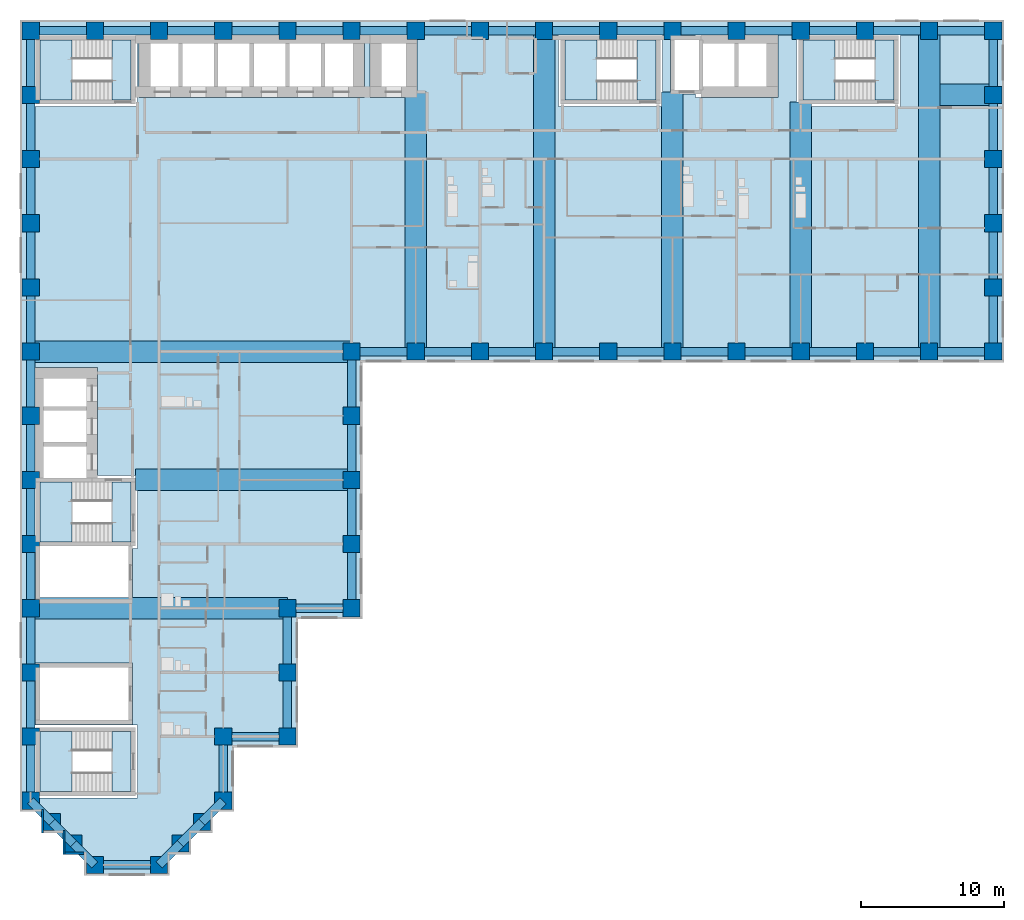
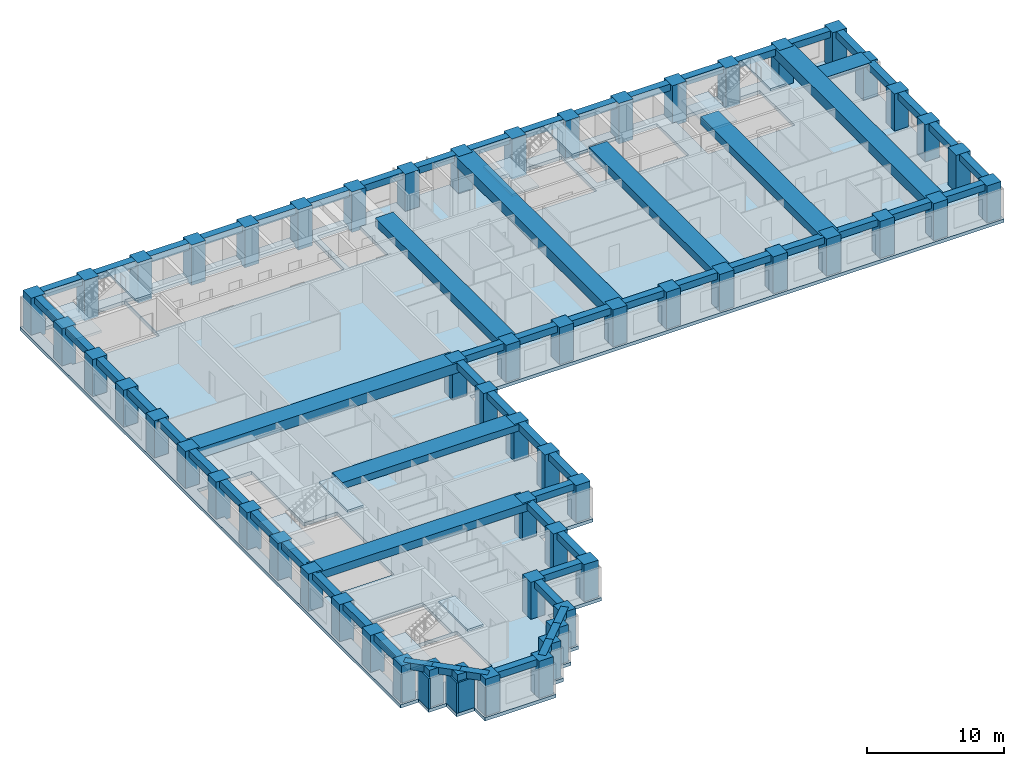
# One storey, part 1 of 11: 67 beams, 58 columns, 11 slabs, 3 walls, 5 elements without a shape of their own.
"""IFC4 building model written with IfcOpenShell, lengths in metres."""

import ifcopenshell
import ifcopenshell.guid

model = None  # the IFC model being written
_history = None  # IfcOwnerHistory: only IFC2X3 demands one
_inside = {}  # id of a spatial element -> (the spatial element, [elements in it])
_under = {}  # id of a project, library or spatial element -> (it, [spatial elements below it])
_declared = {}  # id of a project -> (the project, [libraries it declares])
_typed = {}  # id of a type object -> (the type object, [elements of that type])
_made_of = {}  # id of a material, layer set ... -> (it, [elements and type objects made of it])


def new_model(schema):
    """Start an empty IFC model of exactly this schema.

    Asked for "IFC4X3", IfcOpenShell would pick the latest addendum, in which some entities
    have other attributes; the version numbers below select the first issue.
    IFC2X3 requires an IfcOwnerHistory on every rooted entity: one is made here for all.
    """
    global model, _history
    if schema == "IFC4X3":
        model = ifcopenshell.file(schema_version=(4, 3, 0, 0))
    else:
        model = ifcopenshell.file(schema=schema)
    _inside.clear()
    _under.clear()
    _declared.clear()
    _typed.clear()
    _made_of.clear()
    _history = None
    if model.schema == "IFC2X3":
        org = make("IfcOrganization", Name="unknown")
        user = make(
            "IfcPersonAndOrganization",
            ThePerson=make("IfcPerson", FamilyName="unknown"),
            TheOrganization=org,
        )
        app = make(
            "IfcApplication",
            ApplicationDeveloper=org,
            Version="unknown",
            ApplicationFullName="unknown",
            ApplicationIdentifier="unknown",
        )
        _history = make(
            "IfcOwnerHistory",
            OwningUser=user,
            OwningApplication=app,
            ChangeAction="ADDED",
            CreationDate=0,
        )
    return model


def make(cls, **values):
    """One entity of the class cls with the attributes given. An attribute that is None is left unset."""
    return model.create_entity(
        cls, **{name: value for name, value in values.items() if value is not None}
    )


def rooted(cls, **values):
    """An entity with a GlobalId (a new one), such as an element, a storey or a relation."""
    return make(cls, GlobalId=ifcopenshell.guid.new(), OwnerHistory=_history, **values)


def si_unit(unit_type, name, prefix=None):
    """IfcSIUnit, for example si_unit("LENGTHUNIT", "METRE", prefix="MILLI")."""
    return make("IfcSIUnit", UnitType=unit_type, Prefix=prefix, Name=name)


def assignment(units):
    """IfcUnitAssignment: the units of a project."""
    return None if units is None else make("IfcUnitAssignment", Units=units)


def point(xyz):
    """IfcCartesianPoint."""
    return None if xyz is None else make("IfcCartesianPoint", Coordinates=xyz)


def direction(xyz):
    """IfcDirection."""
    return None if xyz is None else make("IfcDirection", DirectionRatios=xyz)


def frame(location, z_axis=None, x_axis=None):
    """IfcAxis2Placement3D, a coordinate frame: its origin and axes. An axis left out is left unset."""
    return make(
        "IfcAxis2Placement3D",
        Location=point(location),
        Axis=direction(z_axis),
        RefDirection=direction(x_axis),
    )


def frame_2d(location, x_axis=None):
    """IfcAxis2Placement2D, a coordinate frame in the plane: its origin and x axis."""
    return make(
        "IfcAxis2Placement2D", Location=point(location), RefDirection=direction(x_axis)
    )


def origin():
    """The frame at (0, 0, 0) with its axes left unset."""
    return frame((0.0, 0.0, 0.0))


def origin_2d():
    """The frame at (0, 0) in the plane with its x axis left unset."""
    return frame_2d((0.0, 0.0))


def place(relative_to, where):
    """IfcLocalPlacement: puts the frame where relative to a parent placement (None: the world)."""
    return make(
        "IfcLocalPlacement", PlacementRelTo=relative_to, RelativePlacement=where
    )


def context(
    kind, dimensions, precision=None, world=None, true_north=None, identifier=None
):
    """IfcGeometricRepresentationContext, for example the 3D "Model" context."""
    return make(
        "IfcGeometricRepresentationContext",
        ContextIdentifier=identifier,
        ContextType=kind,
        CoordinateSpaceDimension=dimensions,
        Precision=precision,
        WorldCoordinateSystem=world,
        TrueNorth=true_north,
    )


def subcontext(parent, identifier, kind, view, scale=None):
    """IfcGeometricRepresentationSubContext, for example "Body" below "Model"."""
    return make(
        "IfcGeometricRepresentationSubContext",
        ContextIdentifier=identifier,
        ContextType=kind,
        ParentContext=parent,
        TargetScale=scale,
        TargetView=view,
    )


def project(units=None, contexts=None):
    """IfcProject with its units and contexts."""
    return rooted(
        "IfcProject",
        Name="project",
        RepresentationContexts=contexts,
        UnitsInContext=assignment(units),
    )


def spatial(cls, under=None, at=None, **own):
    """A site, building, storey or space (cls), placed at a placement, below another one or the project."""
    s = rooted(cls, ObjectPlacement=at, **own)
    if under is not None:
        _under.setdefault(under.id(), (under, []))[1].append(s)
    return s


def polyline(points):
    """IfcPolyline through the points."""
    return make("IfcPolyline", Points=[point(p) for p in points])


def profile(cls, at=None, kind="AREA", **sizes):
    """A parametric profile (cls). Its sizes go by their IFC names, for example OverallWidth=200.0."""
    return make(cls, ProfileType=kind, Position=at, **sizes)


def rectangle(**sizes):
    """IfcRectangleProfileDef."""
    return profile("IfcRectangleProfileDef", **sizes)


def outline(outer, holes=None, kind="AREA"):
    """IfcArbitraryClosedProfileDef: a profile drawn as a closed curve; with holes, ...WithVoids."""
    if holes is None:
        return make("IfcArbitraryClosedProfileDef", ProfileType=kind, OuterCurve=outer)
    return make(
        "IfcArbitraryProfileDefWithVoids",
        ProfileType=kind,
        OuterCurve=outer,
        InnerCurves=holes,
    )


def extrude(swept, where, along, depth):
    """IfcExtrudedAreaSolid: the profile swept, set in the frame where, extruded along a direction by depth."""
    return make(
        "IfcExtrudedAreaSolid",
        SweptArea=swept,
        Position=where,
        ExtrudedDirection=direction(along),
        Depth=depth,
    )


def shape(context_of_items, identifier, shape_type, items):
    """IfcShapeRepresentation: the items that make up one representation, for example the "Body"."""
    return make(
        "IfcShapeRepresentation",
        ContextOfItems=context_of_items,
        RepresentationIdentifier=identifier,
        RepresentationType=shape_type,
        Items=items,
    )


def material(Name=None, Category=None):
    """IfcMaterial."""
    return make("IfcMaterial", Name=Name, Category=Category)


def layer(
    of_material, thickness, ventilated=None, Name=None, Category=None, Priority=None
):
    """IfcMaterialLayer: one layer of a wall or slab, of a material (None: an air gap)."""
    return make(
        "IfcMaterialLayer",
        Material=of_material,
        LayerThickness=thickness,
        IsVentilated=ventilated,
        Name=Name,
        Category=Category,
        Priority=Priority,
    )


def layer_set(layers, Name=None):
    """IfcMaterialLayerSet."""
    return make("IfcMaterialLayerSet", MaterialLayers=layers, LayerSetName=Name)


def material_profile(
    of_material, cross_section, Name=None, Category=None, Priority=None
):
    """IfcMaterialProfile: a cross section and its material."""
    return make(
        "IfcMaterialProfile",
        Name=Name,
        Material=of_material,
        Profile=cross_section,
        Priority=Priority,
        Category=Category,
    )


def profile_set(profiles, Name=None, composite=None):
    """IfcMaterialProfileSet."""
    return make(
        "IfcMaterialProfileSet",
        Name=Name,
        MaterialProfiles=profiles,
        CompositeProfile=composite,
    )


def made_of(thing, what):
    """Note that an element or type object is made of a material, layer set ...; save() writes the relation."""
    if what is not None:
        _made_of.setdefault(what.id(), (what, []))[1].append(thing)
    return thing


def type_object(cls, material=None, **own):
    """A type object (cls), such as IfcWallType, which elements share."""
    return made_of(rooted(cls, **own), material)


def element(
    cls,
    number,
    at=None,
    inside=None,
    cuts=None,
    type_object=None,
    material=None,
    context=None,
    identifier="Body",
    shape_type=None,
    held_by="IfcProductDefinitionShape",
    body=None,
    shapes=None,
    **own,
):
    """One element of the class cls, such as IfcWall. Its Tag is "e" and its number.

    at: its placement. inside: the storey or other place that contains it. cuts: it is an
    opening in that element (IfcRelVoidsElement). A single representation is given by context,
    identifier, shape_type and body (its items); several are given by shapes. held_by: the class
    of the entity that holds the representations. save() writes the other relations.
    """
    e = rooted(cls, Tag="e%d" % number, ObjectPlacement=at, **own)
    if body is not None:
        shapes = [shape(context, identifier, shape_type, body)]
    if shapes is not None:
        e.Representation = make(held_by, Representations=shapes)
    if inside is not None:
        _inside.setdefault(inside.id(), (inside, []))[1].append(e)
    if cuts is not None:
        rooted(
            "IfcRelVoidsElement", RelatingBuildingElement=cuts, RelatedOpeningElement=e
        )
    if type_object is not None:
        _typed.setdefault(type_object.id(), (type_object, []))[1].append(e)
    return made_of(e, material)


def aggregate(whole, parts):
    """IfcRelAggregates: a whole, such as a stair, and the parts it consists of."""
    return rooted("IfcRelAggregates", RelatingObject=whole, RelatedObjects=parts)


def save(model, path):
    """Write the relations noted so far, then the file.

    IfcRelAggregates (storeys below a building ...), IfcRelContainedInSpatialStructure (elements
    in a storey), IfcRelDefinesByType, IfcRelAssociatesMaterial and IfcRelDeclares: one each for
    every whole, place, type object, material and project.
    """
    for whole, parts in _under.values():
        aggregate(whole, parts)
    for where, things in _inside.values():
        rooted(
            "IfcRelContainedInSpatialStructure",
            RelatedElements=things,
            RelatingStructure=where,
        )
    for kind, things in _typed.values():
        rooted("IfcRelDefinesByType", RelatedObjects=things, RelatingType=kind)
    for what, things in _made_of.values():
        rooted("IfcRelAssociatesMaterial", RelatedObjects=things, RelatingMaterial=what)
    for by, libraries in _declared.values():
        rooted("IfcRelDeclares", RelatingContext=by, RelatedDefinitions=libraries)
    model.write(path)


model = new_model("IFC4")

# Units and contexts
model_context = context("Model", 3, precision=1e-05, world=origin(), true_north=direction((0.0, 1.0)))
body_context = subcontext(model_context, "Body", "Model", "MODEL_VIEW")
ifc_project = project(units=[si_unit("LENGTHUNIT", "METRE"), si_unit("AREAUNIT", "SQUARE_METRE"), si_unit("VOLUMEUNIT", "CUBIC_METRE"), si_unit("PLANEANGLEUNIT", "RADIAN"), si_unit("MASSUNIT", "GRAM", prefix="KILO")], contexts=[model_context])

# Site, building, storey
site_placement = place(None, origin())
site = spatial("IfcSite", under=ifc_project, at=site_placement, CompositionType="ELEMENT")
building_placement = place(site_placement, origin())
building = spatial("IfcBuilding", under=site, at=building_placement, Name="Firuza Court", CompositionType="ELEMENT")
storey_placement = place(building_placement, frame((0.0, 0.0, 79.39990234375)))
storey = spatial("IfcBuildingStorey", under=building, at=storey_placement, Name="L19", CompositionType="ELEMENT", Elevation=79.39990234375)

# Columns
ifc_material_1 = material(Name="Concrete C70/85", Category="concrete")
ifc_material_profile_1 = material_profile(ifc_material_1, rectangle(XDim=1.199951171875, YDim=1.199951171875, at=origin_2d()), Name="RC 1200x1200")
ifc_profile_set_1 = profile_set([ifc_material_profile_1], Name="Concrete C70/85")
column_type = type_object("IfcColumnType", Name="Tube column RC 1200x1200 C70/85", PredefinedType="COLUMN", material=ifc_profile_set_1)
for number, where, z_axis, x_axis, name in (
    (1, (4.5, 0.0, -0.2998046875), (0.0, 0.0, 1.0), (1.0, 0.0, 0.0), "Column C-2D L19"),
    (2, (9.0, 0.0, -0.2998046875), (0.0, 0.0, 1.0), (1.0, 0.0, 0.0), "Column C-3D L19"),
    (3, (3.0, 1.5, -0.2998046875), (0.0, 0.0, 1.0), (1.0, 0.0, 0.0), "Column C-SA1 L19"),
    (4, (10.5, 1.5, -0.2998046875), (0.0, 0.0, 1.0), (1.0, 0.0, 0.0), "Column C-SA2 L19"),
    (5, (1.5, 3.0, -0.2998046875), (0.0, 0.0, 1.0), (1.0, 0.0, 0.0), "Column C-SA3 L19"),
    (6, (12.0, 3.0, -0.2998046875), (0.0, 0.0, 1.0), (1.0, 0.0, 0.0), "Column C-SA4 L19"),
    (7, (0.0, 4.5, -0.2998046875), (0.0, 0.0, 1.0), (1.0, 0.0, 0.0), "Column C-1E L19"),
    (8, (13.5, 4.5, -0.2998046875), (0.0, 0.0, 1.0), (1.0, 0.0, 0.0), "Column C-4E L19"),
    (9, (0.0, 9.0, -0.2998046875), (0.0, 0.0, 1.0), (1.0, 0.0, 0.0), "Column C-1F L19"),
    (10, (13.5, 9.0, -0.2998046875), (0.0, 0.0, 1.0), (1.0, 0.0, 0.0), "Column C-4F L19"),
    (11, (18.0, 9.0, -0.2998046875), (0.0, 0.0, 1.0), (1.0, 0.0, 0.0), "Column C-5F L19"),
    (12, (0.0, 13.5, -0.2998046875), (0.0, 0.0, 1.0), (1.0, 0.0, 0.0), "Column C-1G L19"),
    (13, (18.0, 13.5, -0.2998046875), (0.0, 0.0, 1.0), (1.0, 0.0, 0.0), "Column C-5G L19"),
    (14, (0.0, 18.0, -0.2998046875), (0.0, 0.0, 1.0), (1.0, 0.0, 0.0), "Column C-1H L19"),
    (15, (18.0, 18.0, -0.2998046875), (0.0, 0.0, 1.0), (1.0, 0.0, 0.0), "Column C-5H L19"),
    (16, (22.5, 18.0, -0.2998046875), (0.0, 0.0, 1.0), (1.0, 0.0, 0.0), "Column C-6H L19"),
    (17, (0.0, 22.5, -0.2998046875), (0.0, 0.0, 1.0), (1.0, 0.0, 0.0), "Column C-1J L19"),
    (18, (22.5, 22.5, -0.2998046875), (0.0, 0.0, 1.0), (1.0, 0.0, 0.0), "Column C-6J L19"),
    (19, (0.0, 27.0, -0.2998046875), (0.0, 0.0, 1.0), (1.0, 0.0, 0.0), "Column C-1K L19"),
    (20, (22.5, 27.0, -0.2998046875), (0.0, 0.0, 1.0), (1.0, 0.0, 0.0), "Column C-6K L19"),
    (21, (0.0, 31.5, -0.2998046875), (0.0, 0.0, 1.0), (1.0, 0.0, 0.0), "Column C-1L L19"),
    (22, (22.5, 31.5, -0.2998046875), (0.0, 0.0, 1.0), (1.0, 0.0, 0.0), "Column C-6L L19"),
    (23, (0.0, 36.0, -0.2998046875), (0.0, 0.0, 1.0), (1.0, 0.0, 0.0), "Column C-1M L19"),
    (24, (22.5, 36.0, -0.2998046875), (0.0, 0.0, 1.0), (1.0, 0.0, 0.0), "Column C-6M L19"),
    (25, (27.0, 36.0, -0.2998046875), (0.0, 0.0, 1.0), (1.0, 0.0, 0.0), "Column C-7M L19"),
    (26, (31.5, 36.0, -0.2998046875), (0.0, 0.0, 1.0), (1.0, 0.0, 0.0), "Column C-8M L19"),
    (27, (36.0, 36.0, -0.2998046875), (0.0, 0.0, 1.0), (1.0, 0.0, 0.0), "Column C-9M L19"),
    (28, (40.5, 36.0, -0.2998046875), (0.0, 0.0, 1.0), (1.0, 0.0, 0.0), "Column C-10M L19"),
    (29, (45.0, 36.0, -0.2998046875), (0.0, 0.0, 1.0), (1.0, 0.0, 0.0), "Column C-11M L19"),
    (30, (49.5, 36.0, -0.2998046875), (0.0, 0.0, 1.0), (1.0, 0.0, 0.0), "Column C-12M L19"),
    (31, (54.0, 36.0, -0.2998046875), (0.0, 0.0, 1.0), (1.0, 0.0, 0.0), "Column C-13M L19"),
    (32, (58.5, 36.0, -0.2998046875), (0.0, 0.0, 1.0), (1.0, 0.0, 0.0), "Column C-14M L19"),
    (33, (63.0, 36.0, -0.2998046875), (0.0, 0.0, 1.0), (1.0, 0.0, 0.0), "Column C-15M L19"),
    (34, (67.5, 36.0, -0.2998046875), (0.0, 0.0, 1.0), (1.0, 0.0, 0.0), "Column C-16M L19"),
    (35, (0.0, 40.5, -0.2998046875), (0.0, 0.0, 1.0), (1.0, 0.0, 0.0), "Column C-1N L19"),
    (36, (67.5, 40.5, -0.2998046875), (0.0, 0.0, 1.0), (1.0, 0.0, 0.0), "Column C-16N L19"),
    (37, (0.0, 45.0, -0.2998046875), (0.0, 0.0, 1.0), (1.0, 0.0, 0.0), "Column C-1P L19"),
    (38, (67.5, 45.0, -0.2998046875), (0.0, 0.0, 1.0), (1.0, 0.0, 0.0), "Column C-16P L19"),
    (39, (0.0, 49.5, -0.2998046875), (0.0, 0.0, 1.0), (1.0, 0.0, 0.0), "Column C-1Q L19"),
    (40, (67.5, 49.5, -0.2998046875), (0.0, 0.0, 1.0), (1.0, 0.0, 0.0), "Column C-16Q L19"),
    (41, (0.0, 54.0, -0.2998046875), (0.0, 0.0, 1.0), (1.0, 0.0, 0.0), "Column C-1R L19"),
    (42, (67.5, 54.0, -0.2998046875), (0.0, 0.0, 1.0), (1.0, 0.0, 0.0), "Column C-16R L19"),
    (43, (0.0, 58.5, -0.2998046875), (0.0, 0.0, 1.0), (1.0, 0.0, 0.0), "Column C-1S L19"),
    (44, (4.5, 58.5, -0.2998046875), (0.0, 0.0, 1.0), (1.0, 0.0, 0.0), "Column C-2S L19"),
    (45, (9.0, 58.5, -0.2998046875), (0.0, 0.0, 1.0), (1.0, 0.0, 0.0), "Column C-3S L19"),
    (46, (13.5, 58.5, -0.2998046875), (0.0, 0.0, 1.0), (1.0, 0.0, 0.0), "Column C-4S L19"),
    (47, (18.0, 58.5, -0.2998046875), (0.0, 0.0, 1.0), (1.0, 0.0, 0.0), "Column C-5S L19"),
    (48, (22.5, 58.5, -0.2998046875), (0.0, 0.0, 1.0), (1.0, 0.0, 0.0), "Column C-6S L19"),
    (49, (27.0, 58.5, -0.2998046875), (0.0, 0.0, 1.0), (1.0, 0.0, 0.0), "Column C-7S L19"),
    (50, (31.5, 58.5, -0.2998046875), (0.0, 0.0, 1.0), (1.0, 0.0, 0.0), "Column C-8S L19"),
    (51, (36.0, 58.5, -0.2998046875), (0.0, 0.0, 1.0), (1.0, 0.0, 0.0), "Column C-9S L19"),
    (52, (40.5, 58.5, -0.2998046875), (0.0, 0.0, 1.0), (1.0, 0.0, 0.0), "Column C-10S L19"),
    (53, (45.0, 58.5, -0.2998046875), (0.0, 0.0, 1.0), (1.0, 0.0, 0.0), "Column C-11S L19"),
    (54, (49.5, 58.5, -0.2998046875), (0.0, 0.0, 1.0), (1.0, 0.0, 0.0), "Column C-12S L19"),
    (55, (54.0, 58.5, -0.2998046875), (0.0, 0.0, 1.0), (1.0, 0.0, 0.0), "Column C-13S L19"),
    (56, (58.5, 58.5, -0.2998046875), (0.0, 0.0, 1.0), (1.0, 0.0, 0.0), "Column C-14S L19"),
    (57, (63.0, 58.5, -0.2998046875), (0.0, 0.0, 1.0), (1.0, 0.0, 0.0), "Column C-15S L19"),
    (58, (67.5, 58.5, -0.2998046875), (0.0, 0.0, 1.0), (1.0, 0.0, 0.0), "Column C-16S L19"),
):
    element("IfcColumn", number, at=place(storey_placement, frame(where, z_axis=z_axis, x_axis=x_axis)), inside=storey, type_object=column_type, Name=name, PredefinedType="COLUMN", context=body_context, shape_type="SweptSolid", body=[
        extrude(rectangle(XDim=1.199951171875, YDim=1.199951171875, at=origin_2d()), origin(), (0.0, 0.0, 1.0), 3.599853515625),
    ])

# Beams
ifc_material_2 = material(Name="Concrete C40/50", Category="concrete")
ifc_material_profile_2 = material_profile(ifc_material_2, rectangle(XDim=1.5, YDim=0.300048828125, at=origin_2d()), Name="RC 1500x300")
ifc_profile_set_2 = profile_set([ifc_material_profile_2], Name="Concrete C40/50")
beam_type_1 = type_object("IfcBeamType", Name="Band beam RC 1500x300 C40/50", PredefinedType="BEAM", material=ifc_profile_set_2)
beam_1_placement = place(storey_placement, frame((67.5, 54.0, 3.150146484375), z_axis=(-1.0, 0.0, 0.0), x_axis=(0.0, -1.0, 0.0)))
element("IfcBeam", 59, at=beam_1_placement, inside=storey, type_object=beam_type_1, Name="Band beam FB6 level L20", PredefinedType="BEAM", context=body_context, shape_type="SweptSolid", body=[
    extrude(rectangle(XDim=1.5, YDim=0.300048828125, at=origin_2d()), origin(), (0.0, 0.0, 1.0), 3.75),
])
ifc_material_3 = material(Name="Concrete C40/50", Category="concrete")
ifc_material_profile_3 = material_profile(ifc_material_3, rectangle(XDim=1.5, YDim=0.60009765625, at=origin_2d()), Name="RC 1500x600")
ifc_profile_set_3 = profile_set([ifc_material_profile_3], Name="Concrete C40/50")
beam_type_2 = type_object("IfcBeamType", Name="Band beam RC 1500x600 C40/50", PredefinedType="BEAM", material=ifc_profile_set_3)
beam_2_placement = place(storey_placement, frame((22.5, 27.0, 3.0), z_axis=(-1.0, 0.0, 0.0), x_axis=(0.0, -1.0, 0.0)))
element("IfcBeam", 60, at=beam_2_placement, inside=storey, type_object=beam_type_2, Name="Band beam FB3 level L20", PredefinedType="BEAM", context=body_context, shape_type="SweptSolid", body=[
    extrude(rectangle(XDim=1.5, YDim=0.60009765625, at=origin_2d()), origin(), (0.0, 0.0, 1.0), 15.14990234375),
])
ifc_material_4 = material(Name="Concrete C40/50", Category="concrete")
ifc_material_profile_4 = material_profile(ifc_material_4, rectangle(XDim=1.5, YDim=0.699951171875, at=origin_2d()), Name="RC 1500x700")
ifc_profile_set_4 = profile_set([ifc_material_profile_4], Name="Concrete C40/50")
beam_type_3 = type_object("IfcBeamType", Name="Band beam RC 1500x700 C40/50", PredefinedType="BEAM", material=ifc_profile_set_4)
beam_3_placement = place(storey_placement, frame((0.0, 18.0, 2.9501953125), z_axis=(1.0, 0.0, 0.0), x_axis=(0.0, 1.0, 0.0)))
element("IfcBeam", 61, at=beam_3_placement, inside=storey, type_object=beam_type_3, Name="Band beam FB1 level L20", PredefinedType="BEAM", context=body_context, shape_type="SweptSolid", body=[
    extrude(rectangle(XDim=1.5, YDim=0.699951171875, at=origin_2d()), origin(), (0.0, 0.0, 1.0), 18.0),
])
for number, where, z_axis, x_axis, name in (
    (62, (27.0, 36.0, 2.9501953125), (0.0, 1.0, 0.0), (-1.0, 0.0, 0.0), "Band beam FB1 level L20"),
    (63, (45.0, 36.0, 2.9501953125), (0.0, 1.0, 0.0), (-1.0, 0.0, 0.0), "Band beam FB1 level L20"),
):
    element("IfcBeam", number, at=place(storey_placement, frame(where, z_axis=z_axis, x_axis=x_axis)), inside=storey, type_object=beam_type_3, Name=name, PredefinedType="BEAM", context=body_context, shape_type="SweptSolid", body=[
        extrude(rectangle(XDim=1.5, YDim=0.699951171875, at=origin_2d()), origin(), (0.0, 0.0, 1.0), 18.199951171875),
    ])
beam_4_placement = place(storey_placement, frame((54.0, 36.0, 2.9501953125), z_axis=(0.0, 1.0, 0.0), x_axis=(-1.0, 0.0, 0.0)))
element("IfcBeam", 64, at=beam_4_placement, inside=storey, type_object=beam_type_3, Name="Band beam FB1 level L20", PredefinedType="BEAM", context=body_context, shape_type="SweptSolid", body=[
    extrude(rectangle(XDim=1.5, YDim=0.699951171875, at=origin_2d()), origin(), (0.0, 0.0, 1.0), 17.5),
])
ifc_material_5 = material(Name="Concrete C40/50", Category="concrete")
ifc_material_profile_5 = material_profile(ifc_material_5, rectangle(XDim=1.5, YDim=0.89990234375, at=origin_2d()), Name="RC 1500x900")
ifc_profile_set_5 = profile_set([ifc_material_profile_5], Name="Concrete C40/50")
beam_type_4 = type_object("IfcBeamType", Name="Band beam RC 1500x900 C40/50", PredefinedType="BEAM", material=ifc_profile_set_5)
for number, where, z_axis, x_axis, name in (
    (65, (0.0, 36.0, 2.85009765625), (1.0, 0.0, 0.0), (0.0, 1.0, 0.0), "Band beam FB2 level L20"),
    (66, (36.0, 36.0, 2.85009765625), (0.0, 1.0, 0.0), (-1.0, 0.0, 0.0), "Band beam FB2 level L20"),
    (67, (63.0, 36.0, 2.85009765625), (0.0, 1.0, 0.0), (-1.0, 0.0, 0.0), "Band beam FB2 level L20"),
):
    element("IfcBeam", number, at=place(storey_placement, frame(where, z_axis=z_axis, x_axis=x_axis)), inside=storey, type_object=beam_type_4, Name=name, PredefinedType="BEAM", context=body_context, shape_type="SweptSolid", body=[
        extrude(rectangle(XDim=1.5, YDim=0.89990234375, at=origin_2d()), origin(), (0.0, 0.0, 1.0), 22.5),
    ])
ifc_material_6 = material(Name="Concrete C40/50", Category="concrete")
ifc_material_profile_6 = material_profile(ifc_material_6, rectangle(XDim=0.60009765625, YDim=0.60009765625, at=origin_2d()), Name="RC 600x600")
ifc_profile_set_6 = profile_set([ifc_material_profile_6], Name="Concrete C40/50")
beam_type_5 = type_object("IfcBeamType", Name="Spandrel beam RC 600x600 C40/50", PredefinedType="BEAM", material=ifc_profile_set_6)
beam_5_placement = place(storey_placement, frame((0.0, 4.5, 3.0), z_axis=(0.707106781187, -0.707106781187, 0.0), x_axis=(0.707106781187, 0.707106781187, 0.0)))
element("IfcBeam", 68, at=beam_5_placement, inside=storey, type_object=beam_type_5, Name="Spandrel beam SP11 level L20", PredefinedType="BEAM", context=body_context, shape_type="SweptSolid", body=[
    extrude(rectangle(XDim=0.60009765625, YDim=0.60009765625, at=origin_2d()), origin(), (0.0, 0.0, 1.0), 2.121337890625),
])
for number, where, z_axis, x_axis, name in (
    (69, (0.0, 9.0, 3.0), (0.0, -1.0, 0.0), (1.0, 0.0, 0.0), "Spandrel beam SP11 level L20"),
    (70, (0.0, 13.5, 3.0), (0.0, -1.0, 0.0), (1.0, 0.0, 0.0), "Spandrel beam SP11 level L20"),
    (71, (0.0, 18.0, 3.0), (0.0, -1.0, 0.0), (1.0, 0.0, 0.0), "Spandrel beam SP11 level L20"),
    (72, (0.0, 22.5, 3.0), (0.0, -1.0, 0.0), (1.0, 0.0, 0.0), "Spandrel beam SP11 level L20"),
    (73, (0.0, 27.0, 3.0), (0.0, -1.0, 0.0), (1.0, 0.0, 0.0), "Spandrel beam SP11 level L20"),
    (74, (0.0, 31.5, 3.0), (0.0, -1.0, 0.0), (1.0, 0.0, 0.0), "Spandrel beam SP11 level L20"),
    (75, (0.0, 36.0, 3.0), (0.0, -1.0, 0.0), (1.0, 0.0, 0.0), "Spandrel beam SP11 level L20"),
    (76, (0.0, 40.5, 3.0), (0.0, -1.0, 0.0), (1.0, 0.0, 0.0), "Spandrel beam SP11 level L20"),
    (77, (0.0, 45.0, 3.0), (0.0, -1.0, 0.0), (1.0, 0.0, 0.0), "Spandrel beam SP11 level L20"),
    (78, (0.0, 49.5, 3.0), (0.0, -1.0, 0.0), (1.0, 0.0, 0.0), "Spandrel beam SP11 level L20"),
    (79, (0.0, 54.0, 3.0), (0.0, -1.0, 0.0), (1.0, 0.0, 0.0), "Spandrel beam SP11 level L20"),
    (80, (0.0, 58.5, 3.0), (0.0, -1.0, 0.0), (1.0, 0.0, 0.0), "Spandrel beam SP11 level L20"),
):
    element("IfcBeam", number, at=place(storey_placement, frame(where, z_axis=z_axis, x_axis=x_axis)), inside=storey, type_object=beam_type_5, Name=name, PredefinedType="BEAM", context=body_context, shape_type="SweptSolid", body=[
        extrude(rectangle(XDim=0.60009765625, YDim=0.60009765625, at=origin_2d()), origin(), (0.0, 0.0, 1.0), 4.5),
    ])
for number, where, z_axis, x_axis, name in (
    (81, (1.5, 3.0, 3.0), (0.707106781187, -0.707106781187, 0.0), (0.707106781187, 0.707106781187, 0.0), "Spandrel beam SP11 level L20"),
    (82, (3.0, 1.5, 3.0), (0.707106781187, -0.707106781187, 0.0), (0.707106781187, 0.707106781187, 0.0), "Spandrel beam SP11 level L20"),
):
    element("IfcBeam", number, at=place(storey_placement, frame(where, z_axis=z_axis, x_axis=x_axis)), inside=storey, type_object=beam_type_5, Name=name, PredefinedType="BEAM", context=body_context, shape_type="SweptSolid", body=[
        extrude(rectangle(XDim=0.60009765625, YDim=0.60009765625, at=origin_2d()), origin(), (0.0, 0.0, 1.0), 2.121337890625),
    ])
for number, where, z_axis, x_axis, name in (
    (83, (4.5, 0.0, 3.0), (1.0, 0.0, 0.0), (0.0, 1.0, 0.0), "Spandrel beam SP11 level L20"),
    (84, (4.5, 58.5, 3.0), (-1.0, 0.0, 0.0), (0.0, -1.0, 0.0), "Spandrel beam SP11 level L20"),
):
    element("IfcBeam", number, at=place(storey_placement, frame(where, z_axis=z_axis, x_axis=x_axis)), inside=storey, type_object=beam_type_5, Name=name, PredefinedType="BEAM", context=body_context, shape_type="SweptSolid", body=[
        extrude(rectangle(XDim=0.60009765625, YDim=0.60009765625, at=origin_2d()), origin(), (0.0, 0.0, 1.0), 4.5),
    ])
beam_6_placement = place(storey_placement, frame((9.0, 0.0, 3.0), z_axis=(0.707106781187, 0.707106781187, 0.0), x_axis=(-0.707106781187, 0.707106781187, 0.0)))
element("IfcBeam", 85, at=beam_6_placement, inside=storey, type_object=beam_type_5, Name="Spandrel beam SP11 level L20", PredefinedType="BEAM", context=body_context, shape_type="SweptSolid", body=[
    extrude(rectangle(XDim=0.60009765625, YDim=0.60009765625, at=origin_2d()), origin(), (0.0, 0.0, 1.0), 2.121337890625),
])
beam_7_placement = place(storey_placement, frame((9.0, 58.5, 3.0), z_axis=(-1.0, 0.0, 0.0), x_axis=(0.0, -1.0, 0.0)))
element("IfcBeam", 86, at=beam_7_placement, inside=storey, type_object=beam_type_5, Name="Spandrel beam SP11 level L20", PredefinedType="BEAM", context=body_context, shape_type="SweptSolid", body=[
    extrude(rectangle(XDim=0.60009765625, YDim=0.60009765625, at=origin_2d()), origin(), (0.0, 0.0, 1.0), 4.5),
])
for number, where, z_axis, x_axis, name in (
    (87, (10.5, 1.5, 3.0), (0.707106781187, 0.707106781187, 0.0), (-0.707106781187, 0.707106781187, 0.0), "Spandrel beam SP11 level L20"),
    (88, (12.0, 3.0, 3.0), (0.707106781187, 0.707106781187, 0.0), (-0.707106781187, 0.707106781187, 0.0), "Spandrel beam SP11 level L20"),
):
    element("IfcBeam", number, at=place(storey_placement, frame(where, z_axis=z_axis, x_axis=x_axis)), inside=storey, type_object=beam_type_5, Name=name, PredefinedType="BEAM", context=body_context, shape_type="SweptSolid", body=[
        extrude(rectangle(XDim=0.60009765625, YDim=0.60009765625, at=origin_2d()), origin(), (0.0, 0.0, 1.0), 2.121337890625),
    ])
for number, where, z_axis, x_axis, name in (
    (89, (13.5, 4.5, 3.0), (0.0, 1.0, 0.0), (-1.0, 0.0, 0.0), "Spandrel beam SP11 level L20"),
    (90, (13.5, 9.0, 3.0), (1.0, 0.0, 0.0), (0.0, 1.0, 0.0), "Spandrel beam SP11 level L20"),
    (91, (13.5, 58.5, 3.0), (-1.0, 0.0, 0.0), (0.0, -1.0, 0.0), "Spandrel beam SP11 level L20"),
    (92, (18.0, 9.0, 3.0), (0.0, 1.0, 0.0), (-1.0, 0.0, 0.0), "Spandrel beam SP11 level L20"),
    (93, (18.0, 13.5, 3.0), (0.0, 1.0, 0.0), (-1.0, 0.0, 0.0), "Spandrel beam SP11 level L20"),
    (94, (18.0, 18.0, 3.0), (1.0, 0.0, 0.0), (0.0, 1.0, 0.0), "Spandrel beam SP11 level L20"),
    (95, (18.0, 58.5, 3.0), (-1.0, 0.0, 0.0), (0.0, -1.0, 0.0), "Spandrel beam SP11 level L20"),
    (96, (22.5, 18.0, 3.0), (0.0, 1.0, 0.0), (-1.0, 0.0, 0.0), "Spandrel beam SP11 level L20"),
    (97, (22.5, 22.5, 3.0), (0.0, 1.0, 0.0), (-1.0, 0.0, 0.0), "Spandrel beam SP11 level L20"),
    (98, (22.5, 27.0, 3.0), (0.0, 1.0, 0.0), (-1.0, 0.0, 0.0), "Spandrel beam SP11 level L20"),
    (99, (22.5, 31.5, 3.0), (0.0, 1.0, 0.0), (-1.0, 0.0, 0.0), "Spandrel beam SP11 level L20"),
    (100, (22.5, 36.0, 3.0), (1.0, 0.0, 0.0), (0.0, 1.0, 0.0), "Spandrel beam SP11 level L20"),
    (101, (22.5, 58.5, 3.0), (-1.0, 0.0, 0.0), (0.0, -1.0, 0.0), "Spandrel beam SP11 level L20"),
    (102, (27.0, 36.0, 3.0), (1.0, 0.0, 0.0), (0.0, 1.0, 0.0), "Spandrel beam SP11 level L20"),
    (103, (27.0, 58.5, 3.0), (-1.0, 0.0, 0.0), (0.0, -1.0, 0.0), "Spandrel beam SP11 level L20"),
    (104, (31.5, 36.0, 3.0), (1.0, 0.0, 0.0), (0.0, 1.0, 0.0), "Spandrel beam SP11 level L20"),
    (105, (31.5, 58.5, 3.0), (-1.0, 0.0, 0.0), (0.0, -1.0, 0.0), "Spandrel beam SP11 level L20"),
    (106, (36.0, 36.0, 3.0), (1.0, 0.0, 0.0), (0.0, 1.0, 0.0), "Spandrel beam SP11 level L20"),
    (107, (36.0, 58.5, 3.0), (-1.0, 0.0, 0.0), (0.0, -1.0, 0.0), "Spandrel beam SP11 level L20"),
    (108, (40.5, 36.0, 3.0), (1.0, 0.0, 0.0), (0.0, 1.0, 0.0), "Spandrel beam SP11 level L20"),
    (109, (40.5, 58.5, 3.0), (-1.0, 0.0, 0.0), (0.0, -1.0, 0.0), "Spandrel beam SP11 level L20"),
    (110, (45.0, 36.0, 3.0), (1.0, 0.0, 0.0), (0.0, 1.0, 0.0), "Spandrel beam SP11 level L20"),
    (111, (45.0, 58.5, 3.0), (-1.0, 0.0, 0.0), (0.0, -1.0, 0.0), "Spandrel beam SP11 level L20"),
    (112, (49.5, 36.0, 3.0), (1.0, 0.0, 0.0), (0.0, 1.0, 0.0), "Spandrel beam SP11 level L20"),
    (113, (49.5, 58.5, 3.0), (-1.0, 0.0, 0.0), (0.0, -1.0, 0.0), "Spandrel beam SP11 level L20"),
    (114, (54.0, 36.0, 3.0), (1.0, 0.0, 0.0), (0.0, 1.0, 0.0), "Spandrel beam SP11 level L20"),
    (115, (54.0, 58.5, 3.0), (-1.0, 0.0, 0.0), (0.0, -1.0, 0.0), "Spandrel beam SP11 level L20"),
    (116, (58.5, 36.0, 3.0), (1.0, 0.0, 0.0), (0.0, 1.0, 0.0), "Spandrel beam SP11 level L20"),
    (117, (58.5, 58.5, 3.0), (-1.0, 0.0, 0.0), (0.0, -1.0, 0.0), "Spandrel beam SP11 level L20"),
    (118, (63.0, 36.0, 3.0), (1.0, 0.0, 0.0), (0.0, 1.0, 0.0), "Spandrel beam SP11 level L20"),
    (119, (63.0, 58.5, 3.0), (-1.0, 0.0, 0.0), (0.0, -1.0, 0.0), "Spandrel beam SP11 level L20"),
    (120, (67.5, 36.0, 3.0), (0.0, 1.0, 0.0), (-1.0, 0.0, 0.0), "Spandrel beam SP11 level L20"),
    (121, (67.5, 40.5, 3.0), (0.0, 1.0, 0.0), (-1.0, 0.0, 0.0), "Spandrel beam SP11 level L20"),
    (122, (67.5, 45.0, 3.0), (0.0, 1.0, 0.0), (-1.0, 0.0, 0.0), "Spandrel beam SP11 level L20"),
    (123, (67.5, 49.5, 3.0), (0.0, 1.0, 0.0), (-1.0, 0.0, 0.0), "Spandrel beam SP11 level L20"),
    (124, (67.5, 54.0, 3.0), (0.0, 1.0, 0.0), (-1.0, 0.0, 0.0), "Spandrel beam SP11 level L20"),
    (125, (67.5, 58.5, 3.0), (-1.0, 0.0, 0.0), (0.0, -1.0, 0.0), "Spandrel beam SP11 level L20"),
):
    element("IfcBeam", number, at=place(storey_placement, frame(where, z_axis=z_axis, x_axis=x_axis)), inside=storey, type_object=beam_type_5, Name=name, PredefinedType="BEAM", context=body_context, shape_type="SweptSolid", body=[
        extrude(rectangle(XDim=0.60009765625, YDim=0.60009765625, at=origin_2d()), origin(), (0.0, 0.0, 1.0), 4.5),
    ])

# Slab
ifc_material_7 = material(Name="Concrete C40/50", Category="concrete")
ifc_layer_1 = layer(ifc_material_7, 0.300048828125)
ifc_layer_set_1 = layer_set([ifc_layer_1], Name="Concrete C40/50")
slab_type_1 = type_object("IfcSlabType", Name="Floor slab 300 C40/50", PredefinedType="FLOOR", material=ifc_layer_set_1)
slab_1_placement = place(storey_placement, frame((0.0, 0.0, -0.2998046875)))
element("IfcSlab", 126, at=slab_1_placement, inside=storey, type_object=slab_type_1, Name="Floor slab L19", PredefinedType="FLOOR", context=body_context, shape_type="SweptSolid", body=[
    extrude(outline(polyline([(3.75, -0.75), (3.75, 0.75), (2.25, 0.75), (2.25, 2.25), (0.75, 2.25), (0.75, 3.75), (-0.75, 3.75), (-0.75, 59.25), (68.25, 59.25), (68.25, 35.25), (23.25, 35.25), (23.25, 17.25), (18.75, 17.25), (18.75, 8.25), (14.25, 8.25), (14.25, 3.75), (12.75, 3.75), (12.75, 2.25), (11.25, 2.25), (11.25, 0.75), (9.75, 0.75), (9.75, -0.75), (3.75, -0.75)]), holes=[polyline([(7.5, 9.800048828125), (0.199951171875, 9.800048828125), (0.199951171875, 4.699951171875), (7.5, 4.699951171875), (7.5, 9.800048828125)]), polyline([(7.14990234375, 14.14990234375), (0.35009765625, 14.14990234375), (0.35009765625, 9.85009765625), (7.14990234375, 9.85009765625), (7.14990234375, 14.14990234375)]), polyline([(0.199951171875, 22.199951171875), (0.35009765625, 22.199951171875), (0.35009765625, 18.35009765625), (7.14990234375, 18.35009765625), (7.14990234375, 22.199951171875), (7.5, 22.199951171875), (7.5, 27.300048828125), (4.699951171875, 27.300048828125), (4.699951171875, 29.10009765625), (4.699951171875, 29.89990234375), (4.699951171875, 31.60009765625), (4.699951171875, 32.39990234375), (4.699951171875, 34.89990234375), (0.10009765625, 34.89990234375), (0.10009765625, 32.39990234375), (0.10009765625, 31.60009765625), (0.10009765625, 29.89990234375), (0.10009765625, 29.10009765625), (0.10009765625, 26.60009765625), (0.199951171875, 26.60009765625), (0.199951171875, 22.199951171875)]), polyline([(7.5, 58.300048828125), (0.199951171875, 58.300048828125), (0.199951171875, 53.199951171875), (7.5, 53.199951171875), (7.5, 58.300048828125)]), polyline([(10.10009765625, 58.39990234375), (7.60009765625, 58.39990234375), (7.60009765625, 53.800048828125), (10.10009765625, 53.800048828125), (10.89990234375, 53.800048828125), (12.60009765625, 53.800048828125), (13.39990234375, 53.800048828125), (15.10009765625, 53.800048828125), (15.89990234375, 53.800048828125), (17.60009765625, 53.800048828125), (18.39990234375, 53.800048828125), (20.10009765625, 53.800048828125), (20.89990234375, 53.800048828125), (23.39990234375, 53.800048828125), (23.39990234375, 58.39990234375), (20.89990234375, 58.39990234375), (20.10009765625, 58.39990234375), (18.39990234375, 58.39990234375), (17.60009765625, 58.39990234375), (15.89990234375, 58.39990234375), (15.10009765625, 58.39990234375), (13.39990234375, 58.39990234375), (12.60009765625, 58.39990234375), (10.89990234375, 58.39990234375), (10.10009765625, 58.39990234375)]), polyline([(44.300048828125, 58.300048828125), (37.0, 58.300048828125), (37.0, 53.199951171875), (44.300048828125, 53.199951171875), (44.300048828125, 58.300048828125)]), polyline([(61.0, 58.300048828125), (53.699951171875, 58.300048828125), (53.699951171875, 53.199951171875), (61.0, 53.199951171875), (61.0, 58.300048828125)]), polyline([(27.10009765625, 58.39990234375), (23.800048828125, 58.39990234375), (23.800048828125, 53.800048828125), (27.10009765625, 53.800048828125), (27.10009765625, 58.39990234375)]), polyline([(46.60009765625, 58.14990234375), (44.85009765625, 58.14990234375), (44.85009765625, 54.050048828125), (46.60009765625, 54.050048828125), (46.60009765625, 53.800048828125), (49.10009765625, 53.800048828125), (49.89990234375, 53.800048828125), (52.39990234375, 53.800048828125), (52.39990234375, 58.39990234375), (49.89990234375, 58.39990234375), (49.10009765625, 58.39990234375), (46.60009765625, 58.39990234375), (46.60009765625, 58.14990234375)])]), origin(), (0.0, 0.0, 1.0), 0.2998046875),
])

# Stair, slabs
ifc_material_8 = material(Name="Concrete C40/50 precast", Category="concrete")
stair_type = type_object("IfcStairType", Name="Stair 1350 x 3600 2 flights", PredefinedType="HALF_TURN_STAIR", material=ifc_material_8)
stair_1_placement = place(storey_placement, origin())
stair_1 = element("IfcStair", 127, at=stair_1_placement, inside=storey, type_object=stair_type, Name="Stair 1 L19", PredefinedType="HALF_TURN_STAIR")
ifc_material_9 = material(Name="Concrete C40/50 precast", Category="concrete")
ifc_layer_2 = layer(ifc_material_9, 0.199951171875)
ifc_layer_set_2 = layer_set([ifc_layer_2], Name="Concrete C40/50 precast")
slab_type_2 = type_object("IfcSlabType", Name="Stair landing 200", PredefinedType="LANDING", material=ifc_layer_set_2)
slab_2_placement = place(storey_placement, frame((0.0, 0.0, 1.60009765625)))
slab_2 = element("IfcSlab", 128, at=slab_2_placement, type_object=slab_type_2, Name="S1 landing 1", PredefinedType="LANDING", context=body_context, shape_type="SweptSolid", body=[
    extrude(outline(polyline([(39.699951171875, 53.64990234375), (39.699951171875, 57.85009765625), (37.449951171875, 57.85009765625), (37.449951171875, 53.64990234375), (39.699951171875, 53.64990234375)])), origin(), (0.0, 0.0, 1.0), 0.199951171875),
])
slab_3_placement = place(storey_placement, frame((0.0, 0.0, 3.400146484375)))
slab_3 = element("IfcSlab", 129, at=slab_3_placement, type_object=slab_type_2, Name="S1 landing 2", PredefinedType="LANDING", context=body_context, shape_type="SweptSolid", body=[
    extrude(outline(polyline([(43.85009765625, 53.64990234375), (43.85009765625, 57.85009765625), (42.5, 57.85009765625), (42.5, 53.64990234375), (43.85009765625, 53.64990234375)])), origin(), (0.0, 0.0, 1.0), 0.199951171875),
])
aggregate(stair_1, [slab_2, slab_3])

stair_2_placement = place(storey_placement, origin())
stair_2 = element("IfcStair", 130, at=stair_2_placement, inside=storey, type_object=stair_type, Name="Stair 2 L19", PredefinedType="HALF_TURN_STAIR")
slab_4_placement = place(storey_placement, frame((0.0, 0.0, 1.60009765625)))
slab_4 = element("IfcSlab", 131, at=slab_4_placement, type_object=slab_type_2, Name="S2 landing 1", PredefinedType="LANDING", context=body_context, shape_type="SweptSolid", body=[
    extrude(outline(polyline([(2.89990234375, 22.64990234375), (2.89990234375, 26.85009765625), (0.64990234375, 26.85009765625), (0.64990234375, 22.64990234375), (2.89990234375, 22.64990234375)])), origin(), (0.0, 0.0, 1.0), 0.199951171875),
])
slab_5_placement = place(storey_placement, frame((0.0, 0.0, 3.400146484375)))
slab_5 = element("IfcSlab", 132, at=slab_5_placement, type_object=slab_type_2, Name="S2 landing 2", PredefinedType="LANDING", context=body_context, shape_type="SweptSolid", body=[
    extrude(outline(polyline([(7.050048828125, 22.64990234375), (7.050048828125, 26.85009765625), (5.699951171875, 26.85009765625), (5.699951171875, 22.64990234375), (7.050048828125, 22.64990234375)])), origin(), (0.0, 0.0, 1.0), 0.199951171875),
])
aggregate(stair_2, [slab_4, slab_5])

stair_3_placement = place(storey_placement, origin())
stair_3 = element("IfcStair", 133, at=stair_3_placement, inside=storey, type_object=stair_type, Name="Stair 3 L19", PredefinedType="HALF_TURN_STAIR")
slab_6_placement = place(storey_placement, frame((0.0, 0.0, 1.60009765625)))
slab_6 = element("IfcSlab", 134, at=slab_6_placement, type_object=slab_type_2, Name="S3 landing 1", PredefinedType="LANDING", context=body_context, shape_type="SweptSolid", body=[
    extrude(outline(polyline([(2.89990234375, 53.64990234375), (2.89990234375, 57.85009765625), (0.64990234375, 57.85009765625), (0.64990234375, 53.64990234375), (2.89990234375, 53.64990234375)])), origin(), (0.0, 0.0, 1.0), 0.199951171875),
])
slab_7_placement = place(storey_placement, frame((0.0, 0.0, 3.400146484375)))
slab_7 = element("IfcSlab", 135, at=slab_7_placement, type_object=slab_type_2, Name="S3 landing 2", PredefinedType="LANDING", context=body_context, shape_type="SweptSolid", body=[
    extrude(outline(polyline([(7.050048828125, 53.64990234375), (7.050048828125, 57.85009765625), (5.699951171875, 57.85009765625), (5.699951171875, 53.64990234375), (7.050048828125, 53.64990234375)])), origin(), (0.0, 0.0, 1.0), 0.199951171875),
])
aggregate(stair_3, [slab_6, slab_7])

stair_4_placement = place(storey_placement, origin())
stair_4 = element("IfcStair", 136, at=stair_4_placement, inside=storey, type_object=stair_type, Name="Stair 4 L19", PredefinedType="HALF_TURN_STAIR")
slab_8_placement = place(storey_placement, frame((0.0, 0.0, 1.60009765625)))
slab_8 = element("IfcSlab", 137, at=slab_8_placement, type_object=slab_type_2, Name="S4 landing 1", PredefinedType="LANDING", context=body_context, shape_type="SweptSolid", body=[
    extrude(outline(polyline([(56.39990234375, 53.64990234375), (56.39990234375, 57.85009765625), (54.14990234375, 57.85009765625), (54.14990234375, 53.64990234375), (56.39990234375, 53.64990234375)])), origin(), (0.0, 0.0, 1.0), 0.199951171875),
])
slab_9_placement = place(storey_placement, frame((0.0, 0.0, 3.400146484375)))
slab_9 = element("IfcSlab", 138, at=slab_9_placement, type_object=slab_type_2, Name="S4 landing 2", PredefinedType="LANDING", context=body_context, shape_type="SweptSolid", body=[
    extrude(outline(polyline([(60.550048828125, 53.64990234375), (60.550048828125, 57.85009765625), (59.199951171875, 57.85009765625), (59.199951171875, 53.64990234375), (60.550048828125, 53.64990234375)])), origin(), (0.0, 0.0, 1.0), 0.199951171875),
])
aggregate(stair_4, [slab_8, slab_9])

stair_5_placement = place(storey_placement, origin())
stair_5 = element("IfcStair", 139, at=stair_5_placement, inside=storey, type_object=stair_type, Name="Stair 5 L19", PredefinedType="HALF_TURN_STAIR")
slab_10_placement = place(storey_placement, frame((0.0, 0.0, 1.60009765625)))
slab_10 = element("IfcSlab", 140, at=slab_10_placement, type_object=slab_type_2, Name="S5 landing 1", PredefinedType="LANDING", context=body_context, shape_type="SweptSolid", body=[
    extrude(outline(polyline([(2.89990234375, 5.14990234375), (2.89990234375, 9.35009765625), (0.64990234375, 9.35009765625), (0.64990234375, 5.14990234375), (2.89990234375, 5.14990234375)])), origin(), (0.0, 0.0, 1.0), 0.199951171875),
])
slab_11_placement = place(storey_placement, frame((0.0, 0.0, 3.400146484375)))
slab_11 = element("IfcSlab", 141, at=slab_11_placement, type_object=slab_type_2, Name="S5 landing 2", PredefinedType="LANDING", context=body_context, shape_type="SweptSolid", body=[
    extrude(outline(polyline([(7.050048828125, 5.14990234375), (7.050048828125, 9.35009765625), (5.699951171875, 9.35009765625), (5.699951171875, 5.14990234375), (7.050048828125, 5.14990234375)])), origin(), (0.0, 0.0, 1.0), 0.199951171875),
])
aggregate(stair_5, [slab_10, slab_11])

# Walls
ifc_material_10 = material(Name="Ceramic tile", Category="ceramic")
ifc_layer_3 = layer(ifc_material_10, 0.02001953125)
ifc_material_11 = material(Name="Mineral wool insulation", Category="insulation")
ifc_layer_4 = layer(ifc_material_11, 0.050048828125)
ifc_layer_5 = layer(ifc_material_9, 0.080078125)
ifc_layer_set_3 = layer_set([ifc_layer_3, ifc_layer_4, ifc_layer_5], Name="Concrete C40/50 precast")
wall_type = type_object("IfcWallType", Name="Precast cladding wall with turquoise TILE PANEL face 150", PredefinedType="STANDARD", material=ifc_layer_set_3)
for number, where, z_axis, x_axis, name in (
    (142, (0.824951171875, 3.89990234375, 0.0), (0.0, 0.0, 1.0), (0.0, -1.0, 0.0), "Facade wall L19 W"),
    (143, (2.324951171875, 2.39990234375, 0.0), (0.0, 0.0, 1.0), (0.0, -1.0, 0.0), "Facade wall L19 W"),
):
    element("IfcWall", number, at=place(storey_placement, frame(where, z_axis=z_axis, x_axis=x_axis)), inside=storey, type_object=wall_type, Name=name, PredefinedType="STANDARD", context=body_context, shape_type="SweptSolid", body=[
        extrude(rectangle(XDim=1.64990234375, YDim=0.14990234375, at=frame_2d((0.824951171875, 0.0))), origin(), (0.0, 0.0, 1.0), 2.7001953125),
    ])
wall_placement = place(storey_placement, frame((2.39990234375, 0.824951171875, 0.0), z_axis=(0.0, 0.0, 1.0), x_axis=(1.0, 0.0, 0.0)))
element("IfcWall", 144, at=wall_placement, inside=storey, type_object=wall_type, Name="Facade wall L19 S", PredefinedType="STANDARD", context=body_context, shape_type="SweptSolid", body=[
    extrude(rectangle(XDim=1.35009765625, YDim=0.14990234375, at=frame_2d((0.675048828125, 0.0))), origin(), (0.0, 0.0, 1.0), 2.7001953125),
])

save(model, "model.ifc")
